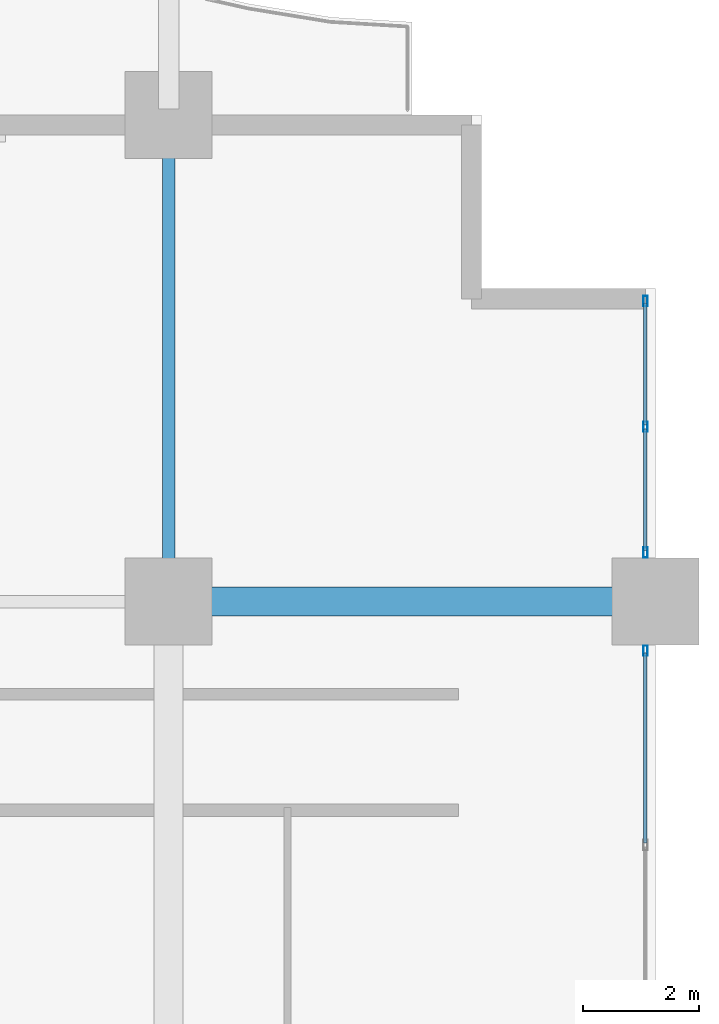
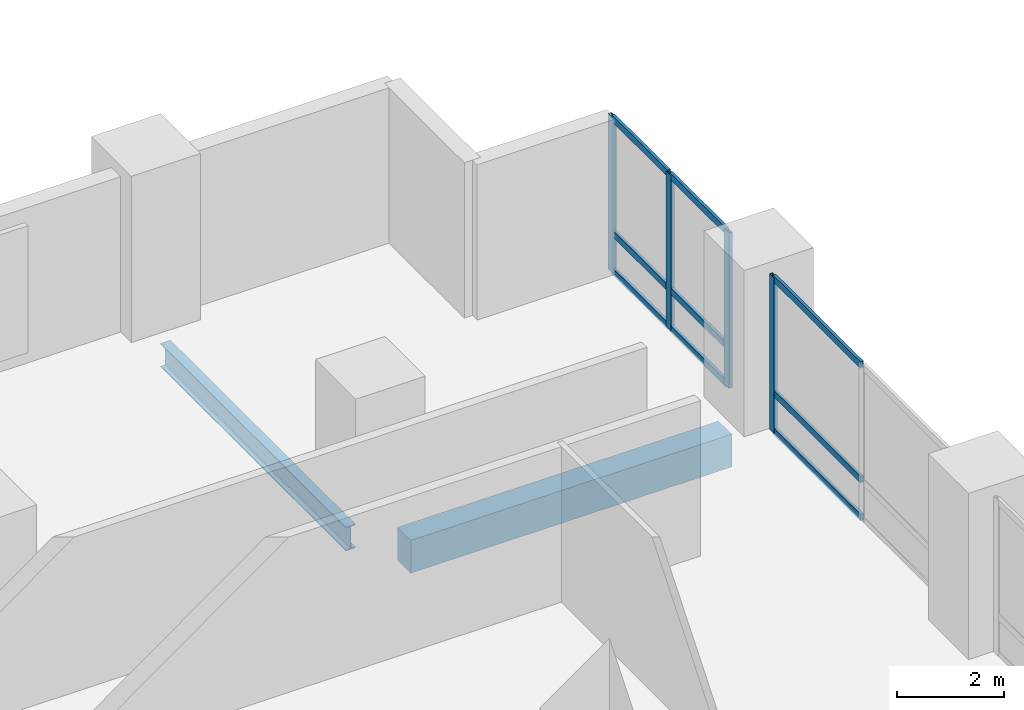
# One storey, part 7 of 27: 13 members, 2 beams, 2 elements without a shape of their own.
"""IFC4 building model written with IfcOpenShell, lengths in metres."""

import ifcopenshell
import ifcopenshell.guid

model = None  # the IFC model being written
_history = None  # IfcOwnerHistory: only IFC2X3 demands one
_inside = {}  # id of a spatial element -> (the spatial element, [elements in it])
_under = {}  # id of a project, library or spatial element -> (it, [spatial elements below it])
_declared = {}  # id of a project -> (the project, [libraries it declares])
_typed = {}  # id of a type object -> (the type object, [elements of that type])
_made_of = {}  # id of a material, layer set ... -> (it, [elements and type objects made of it])


def new_model(schema):
    """Start an empty IFC model of exactly this schema.

    Asked for "IFC4X3", IfcOpenShell would pick the latest addendum, in which some entities
    have other attributes; the version numbers below select the first issue.
    IFC2X3 requires an IfcOwnerHistory on every rooted entity: one is made here for all.
    """
    global model, _history
    if schema == "IFC4X3":
        model = ifcopenshell.file(schema_version=(4, 3, 0, 0))
    else:
        model = ifcopenshell.file(schema=schema)
    _inside.clear()
    _under.clear()
    _declared.clear()
    _typed.clear()
    _made_of.clear()
    _history = None
    if model.schema == "IFC2X3":
        org = make("IfcOrganization", Name="unknown")
        user = make(
            "IfcPersonAndOrganization",
            ThePerson=make("IfcPerson", FamilyName="unknown"),
            TheOrganization=org,
        )
        app = make(
            "IfcApplication",
            ApplicationDeveloper=org,
            Version="unknown",
            ApplicationFullName="unknown",
            ApplicationIdentifier="unknown",
        )
        _history = make(
            "IfcOwnerHistory",
            OwningUser=user,
            OwningApplication=app,
            ChangeAction="ADDED",
            CreationDate=0,
        )
    return model


def make(cls, **values):
    """One entity of the class cls with the attributes given. An attribute that is None is left unset."""
    return model.create_entity(
        cls, **{name: value for name, value in values.items() if value is not None}
    )


def rooted(cls, **values):
    """An entity with a GlobalId (a new one), such as an element, a storey or a relation."""
    return make(cls, GlobalId=ifcopenshell.guid.new(), OwnerHistory=_history, **values)


def si_unit(unit_type, name, prefix=None):
    """IfcSIUnit, for example si_unit("LENGTHUNIT", "METRE", prefix="MILLI")."""
    return make("IfcSIUnit", UnitType=unit_type, Prefix=prefix, Name=name)


def assignment(units):
    """IfcUnitAssignment: the units of a project."""
    return None if units is None else make("IfcUnitAssignment", Units=units)


def point(xyz):
    """IfcCartesianPoint."""
    return None if xyz is None else make("IfcCartesianPoint", Coordinates=xyz)


def direction(xyz):
    """IfcDirection."""
    return None if xyz is None else make("IfcDirection", DirectionRatios=xyz)


def frame(location, z_axis=None, x_axis=None):
    """IfcAxis2Placement3D, a coordinate frame: its origin and axes. An axis left out is left unset."""
    return make(
        "IfcAxis2Placement3D",
        Location=point(location),
        Axis=direction(z_axis),
        RefDirection=direction(x_axis),
    )


def frame_2d(location, x_axis=None):
    """IfcAxis2Placement2D, a coordinate frame in the plane: its origin and x axis."""
    return make(
        "IfcAxis2Placement2D", Location=point(location), RefDirection=direction(x_axis)
    )


def origin():
    """The frame at (0, 0, 0) with its axes left unset."""
    return frame((0.0, 0.0, 0.0))


def origin_2d():
    """The frame at (0, 0) in the plane with its x axis left unset."""
    return frame_2d((0.0, 0.0))


def place(relative_to, where):
    """IfcLocalPlacement: puts the frame where relative to a parent placement (None: the world)."""
    return make(
        "IfcLocalPlacement", PlacementRelTo=relative_to, RelativePlacement=where
    )


def context(
    kind, dimensions, precision=None, world=None, true_north=None, identifier=None
):
    """IfcGeometricRepresentationContext, for example the 3D "Model" context."""
    return make(
        "IfcGeometricRepresentationContext",
        ContextIdentifier=identifier,
        ContextType=kind,
        CoordinateSpaceDimension=dimensions,
        Precision=precision,
        WorldCoordinateSystem=world,
        TrueNorth=true_north,
    )


def subcontext(parent, identifier, kind, view, scale=None):
    """IfcGeometricRepresentationSubContext, for example "Body" below "Model"."""
    return make(
        "IfcGeometricRepresentationSubContext",
        ContextIdentifier=identifier,
        ContextType=kind,
        ParentContext=parent,
        TargetScale=scale,
        TargetView=view,
    )


def project(units=None, contexts=None):
    """IfcProject with its units and contexts."""
    return rooted(
        "IfcProject",
        Name="project",
        RepresentationContexts=contexts,
        UnitsInContext=assignment(units),
    )


def spatial(cls, under=None, at=None, **own):
    """A site, building, storey or space (cls), placed at a placement, below another one or the project."""
    s = rooted(cls, ObjectPlacement=at, **own)
    if under is not None:
        _under.setdefault(under.id(), (under, []))[1].append(s)
    return s


def profile(cls, at=None, kind="AREA", **sizes):
    """A parametric profile (cls). Its sizes go by their IFC names, for example OverallWidth=200.0."""
    return make(cls, ProfileType=kind, Position=at, **sizes)


def rectangle(**sizes):
    """IfcRectangleProfileDef."""
    return profile("IfcRectangleProfileDef", **sizes)


def hollow_rectangle(**sizes):
    """IfcRectangleHollowProfileDef."""
    return profile("IfcRectangleHollowProfileDef", **sizes)


def i_section(**sizes):
    """IfcIShapeProfileDef."""
    return profile("IfcIShapeProfileDef", **sizes)


def extrude(swept, where, along, depth):
    """IfcExtrudedAreaSolid: the profile swept, set in the frame where, extruded along a direction by depth."""
    return make(
        "IfcExtrudedAreaSolid",
        SweptArea=swept,
        Position=where,
        ExtrudedDirection=direction(along),
        Depth=depth,
    )


def shape(context_of_items, identifier, shape_type, items):
    """IfcShapeRepresentation: the items that make up one representation, for example the "Body"."""
    return make(
        "IfcShapeRepresentation",
        ContextOfItems=context_of_items,
        RepresentationIdentifier=identifier,
        RepresentationType=shape_type,
        Items=items,
    )


def material(Name=None, Category=None):
    """IfcMaterial."""
    return make("IfcMaterial", Name=Name, Category=Category)


def layer(
    of_material, thickness, ventilated=None, Name=None, Category=None, Priority=None
):
    """IfcMaterialLayer: one layer of a wall or slab, of a material (None: an air gap)."""
    return make(
        "IfcMaterialLayer",
        Material=of_material,
        LayerThickness=thickness,
        IsVentilated=ventilated,
        Name=Name,
        Category=Category,
        Priority=Priority,
    )


def layer_set(layers, Name=None):
    """IfcMaterialLayerSet."""
    return make("IfcMaterialLayerSet", MaterialLayers=layers, LayerSetName=Name)


def material_profile(
    of_material, cross_section, Name=None, Category=None, Priority=None
):
    """IfcMaterialProfile: a cross section and its material."""
    return make(
        "IfcMaterialProfile",
        Name=Name,
        Material=of_material,
        Profile=cross_section,
        Priority=Priority,
        Category=Category,
    )


def profile_set(profiles, Name=None, composite=None):
    """IfcMaterialProfileSet."""
    return make(
        "IfcMaterialProfileSet",
        Name=Name,
        MaterialProfiles=profiles,
        CompositeProfile=composite,
    )


def made_of(thing, what):
    """Note that an element or type object is made of a material, layer set ...; save() writes the relation."""
    if what is not None:
        _made_of.setdefault(what.id(), (what, []))[1].append(thing)
    return thing


def type_object(cls, material=None, **own):
    """A type object (cls), such as IfcWallType, which elements share."""
    return made_of(rooted(cls, **own), material)


def element(
    cls,
    number,
    at=None,
    inside=None,
    cuts=None,
    type_object=None,
    material=None,
    context=None,
    identifier="Body",
    shape_type=None,
    held_by="IfcProductDefinitionShape",
    body=None,
    shapes=None,
    **own,
):
    """One element of the class cls, such as IfcWall. Its Tag is "e" and its number.

    at: its placement. inside: the storey or other place that contains it. cuts: it is an
    opening in that element (IfcRelVoidsElement). A single representation is given by context,
    identifier, shape_type and body (its items); several are given by shapes. held_by: the class
    of the entity that holds the representations. save() writes the other relations.
    """
    e = rooted(cls, Tag="e%d" % number, ObjectPlacement=at, **own)
    if body is not None:
        shapes = [shape(context, identifier, shape_type, body)]
    if shapes is not None:
        e.Representation = make(held_by, Representations=shapes)
    if inside is not None:
        _inside.setdefault(inside.id(), (inside, []))[1].append(e)
    if cuts is not None:
        rooted(
            "IfcRelVoidsElement", RelatingBuildingElement=cuts, RelatedOpeningElement=e
        )
    if type_object is not None:
        _typed.setdefault(type_object.id(), (type_object, []))[1].append(e)
    return made_of(e, material)


def aggregate(whole, parts):
    """IfcRelAggregates: a whole, such as a stair, and the parts it consists of."""
    return rooted("IfcRelAggregates", RelatingObject=whole, RelatedObjects=parts)


def save(model, path):
    """Write the relations noted so far, then the file.

    IfcRelAggregates (storeys below a building ...), IfcRelContainedInSpatialStructure (elements
    in a storey), IfcRelDefinesByType, IfcRelAssociatesMaterial and IfcRelDeclares: one each for
    every whole, place, type object, material and project.
    """
    for whole, parts in _under.values():
        aggregate(whole, parts)
    for where, things in _inside.values():
        rooted(
            "IfcRelContainedInSpatialStructure",
            RelatedElements=things,
            RelatingStructure=where,
        )
    for kind, things in _typed.values():
        rooted("IfcRelDefinesByType", RelatedObjects=things, RelatingType=kind)
    for what, things in _made_of.values():
        rooted("IfcRelAssociatesMaterial", RelatedObjects=things, RelatingMaterial=what)
    for by, libraries in _declared.values():
        rooted("IfcRelDeclares", RelatingContext=by, RelatedDefinitions=libraries)
    model.write(path)


model = new_model("IFC4")

# Units and contexts
model_context = context("Model", 3, precision=1e-05, world=origin(), true_north=direction((0.0, 1.0)))
body_context = subcontext(model_context, "Body", "Model", "MODEL_VIEW")
ifc_project = project(units=[si_unit("LENGTHUNIT", "METRE"), si_unit("AREAUNIT", "SQUARE_METRE"), si_unit("VOLUMEUNIT", "CUBIC_METRE"), si_unit("PLANEANGLEUNIT", "RADIAN"), si_unit("MASSUNIT", "GRAM", prefix="KILO")], contexts=[model_context])

# Site, building, storey
site_placement = place(None, origin())
site = spatial("IfcSite", under=ifc_project, at=site_placement, CompositionType="ELEMENT")
building_placement = place(site_placement, origin())
building = spatial("IfcBuilding", under=site, at=building_placement, Name="Koriwani Terraces Tower", CompositionType="ELEMENT")
storey_placement = place(building_placement, frame((0.0, 0.0, 54.800048828125)))
storey = spatial("IfcBuildingStorey", under=building, at=storey_placement, Name="L12", CompositionType="ELEMENT", Elevation=54.800048828125)

# Beam
ifc_material_1 = material(Name="Concrete C50/60", Category="concrete")
ifc_material_profile_1 = material_profile(ifc_material_1, rectangle(XDim=0.5, YDim=0.75, at=origin_2d()), Name="Concrete C50/60", Category="LoadBearing")
ifc_profile_set_1 = profile_set([ifc_material_profile_1], Name="Concrete C50/60")
beam_type_1 = type_object("IfcBeamType", Name="BEAM_RC_GRID_500X750", PredefinedType="BEAM", material=ifc_profile_set_1)
beam_1_placement = place(storey_placement, frame((84.72998046875, 25.199951171875, -0.625), z_axis=(1.0, 0.0, 0.0), x_axis=(0.0, 1.0, 0.0)))
element("IfcBeam", 1, at=beam_1_placement, inside=storey, type_object=beam_type_1, Name="L12 Grid Beam D (84.0-92.4m)", PredefinedType="BEAM", context=body_context, shape_type="SweptSolid", body=[
    extrude(rectangle(XDim=0.5, YDim=0.75, at=origin_2d()), origin(), (0.0, 0.0, 1.0), 6.93994140625),
])

# Curtain wall, members
ifc_material_2 = material(Name="Anodised Bronze Aluminium", Category="aluminium")
ifc_layer = layer(ifc_material_2, 0.179931640625, Name="Anodised Bronze Aluminium")
ifc_layer_set = layer_set([ifc_layer], Name="Anodised Bronze Aluminium")
curtain_wall_type = type_object("IfcCurtainWallType", Name="CW_HOTEL_ZONE1", PredefinedType="NOTDEFINED", material=ifc_layer_set)
curtain_wall_1_placement = place(storey_placement, origin())
curtain_wall_1 = element("IfcCurtainWall", 2, at=curtain_wall_1_placement, inside=storey, type_object=curtain_wall_type, Name="L12 Unitised Curtain Wall (E_TIP) Bay 1", PredefinedType="NOTDEFINED")
ifc_material_profile_2 = material_profile(ifc_material_2, hollow_rectangle(XDim=0.074951171875, YDim=0.179931640625, WallThickness=0.006103515625, at=origin_2d()), Name="Anodised Bronze Aluminium", Category="LoadBearing")
ifc_profile_set_2 = profile_set([ifc_material_profile_2], Name="Anodised Bronze Aluminium")
member_type_1 = type_object("IfcMemberType", Name="CW_MULLION_180X75", PredefinedType="MULLION", material=ifc_profile_set_2)
member_1_placement = place(storey_placement, frame((92.22509765625, 30.387451171875, 0.0), z_axis=(0.0, 0.0, 1.0), x_axis=(1.0, 0.0, 0.0)))
member_1 = element("IfcMember", 3, at=member_1_placement, type_object=member_type_1, Name="CW-Z1 mullion 1", PredefinedType="MULLION", context=body_context, shape_type="SweptSolid", body=[
    extrude(hollow_rectangle(XDim=0.074951171875, YDim=0.179931640625, WallThickness=0.006103515625, at=origin_2d()), origin(), (0.0, 0.0, 1.0), 3.550048828125),
])
member_2_placement = place(storey_placement, frame((92.22509765625, 28.217529296875, 0.0), z_axis=(0.0, 0.0, 1.0), x_axis=(1.0, 0.0, 0.0)))
member_2 = element("IfcMember", 4, at=member_2_placement, type_object=member_type_1, Name="CW-Z1 mullion 2", PredefinedType="MULLION", context=body_context, shape_type="SweptSolid", body=[
    extrude(hollow_rectangle(XDim=0.074951171875, YDim=0.179931640625, WallThickness=0.006103515625, at=origin_2d()), origin(), (0.0, 0.0, 1.0), 3.550048828125),
])
member_3_placement = place(storey_placement, frame((92.22509765625, 26.047607421875, 0.0), z_axis=(0.0, 0.0, 1.0), x_axis=(1.0, 0.0, 0.0)))
member_3 = element("IfcMember", 5, at=member_3_placement, type_object=member_type_1, Name="CW-Z1 mullion 3", PredefinedType="MULLION", context=body_context, shape_type="SweptSolid", body=[
    extrude(hollow_rectangle(XDim=0.074951171875, YDim=0.179931640625, WallThickness=0.006103515625, at=origin_2d()), origin(), (0.0, 0.0, 1.0), 3.550048828125),
])

# Curtain wall, member
curtain_wall_2_placement = place(storey_placement, origin())
curtain_wall_2 = element("IfcCurtainWall", 6, at=curtain_wall_2_placement, inside=storey, type_object=curtain_wall_type, Name="L12 Unitised Curtain Wall (E_TIP) Bay 2", PredefinedType="NOTDEFINED")
member_4_placement = place(storey_placement, frame((92.22509765625, 24.3525390625, 0.0), z_axis=(0.0, 0.0, 1.0), x_axis=(1.0, 0.0, 0.0)))
member_4 = element("IfcMember", 7, at=member_4_placement, type_object=member_type_1, Name="CW-Z1 mullion 1", PredefinedType="MULLION", context=body_context, shape_type="SweptSolid", body=[
    extrude(hollow_rectangle(XDim=0.074951171875, YDim=0.179931640625, WallThickness=0.006103515625, at=origin_2d()), origin(), (0.0, 0.0, 1.0), 3.550048828125),
])

# Member
ifc_material_profile_3 = material_profile(ifc_material_2, hollow_rectangle(XDim=0.06494140625, YDim=0.14990234375, WallThickness=0.0048828125, at=origin_2d()), Name="Anodised Bronze Aluminium", Category="LoadBearing")
ifc_profile_set_3 = profile_set([ifc_material_profile_3], Name="Anodised Bronze Aluminium")
member_type_2 = type_object("IfcMemberType", Name="CW_TRANSOM_150X65", PredefinedType="USERDEFINED", material=ifc_profile_set_3)
member_5_placement = place(storey_placement, frame((92.22509765625, 30.35009765625, 0.032470703125), z_axis=(0.0, -1.0, 0.0), x_axis=(1.0, 0.0, 0.0)))
member_5 = element("IfcMember", 8, at=member_5_placement, type_object=member_type_2, Name="CW-Z1 transom 1.1", ObjectType="TRANSOM", PredefinedType="USERDEFINED", context=body_context, shape_type="SweptSolid", body=[
    extrude(hollow_rectangle(XDim=0.06494140625, YDim=0.14990234375, WallThickness=0.0048828125, at=origin_2d()), origin(), (0.0, 0.0, 1.0), 2.09521484375),
])

member_6_placement = place(storey_placement, frame((92.22509765625, 30.35009765625, 0.89990234375), z_axis=(0.0, -1.0, 0.0), x_axis=(1.0, 0.0, 0.0)))
member_6 = element("IfcMember", 9, at=member_6_placement, type_object=member_type_2, Name="CW-Z1 transom 1.2", ObjectType="TRANSOM", PredefinedType="USERDEFINED", context=body_context, shape_type="SweptSolid", body=[
    extrude(hollow_rectangle(XDim=0.06494140625, YDim=0.14990234375, WallThickness=0.0048828125, at=origin_2d()), origin(), (0.0, 0.0, 1.0), 2.09521484375),
])

member_7_placement = place(storey_placement, frame((92.22509765625, 30.35009765625, 3.517333984375), z_axis=(0.0, -1.0, 0.0), x_axis=(1.0, 0.0, 0.0)))
member_7 = element("IfcMember", 10, at=member_7_placement, type_object=member_type_2, Name="CW-Z1 transom 1.3", ObjectType="TRANSOM", PredefinedType="USERDEFINED", context=body_context, shape_type="SweptSolid", body=[
    extrude(hollow_rectangle(XDim=0.06494140625, YDim=0.14990234375, WallThickness=0.0048828125, at=origin_2d()), origin(), (0.0, 0.0, 1.0), 2.09521484375),
])

member_8_placement = place(storey_placement, frame((92.22509765625, 28.179931640625, 0.032470703125), z_axis=(0.0, -1.0, 0.0), x_axis=(1.0, 0.0, 0.0)))
member_8 = element("IfcMember", 11, at=member_8_placement, type_object=member_type_2, Name="CW-Z1 transom 2.1", ObjectType="TRANSOM", PredefinedType="USERDEFINED", context=body_context, shape_type="SweptSolid", body=[
    extrude(hollow_rectangle(XDim=0.06494140625, YDim=0.14990234375, WallThickness=0.0048828125, at=origin_2d()), origin(), (0.0, 0.0, 1.0), 2.094970703125),
])

member_9_placement = place(storey_placement, frame((92.22509765625, 28.179931640625, 0.89990234375), z_axis=(0.0, -1.0, 0.0), x_axis=(1.0, 0.0, 0.0)))
member_9 = element("IfcMember", 12, at=member_9_placement, type_object=member_type_2, Name="CW-Z1 transom 2.2", ObjectType="TRANSOM", PredefinedType="USERDEFINED", context=body_context, shape_type="SweptSolid", body=[
    extrude(hollow_rectangle(XDim=0.06494140625, YDim=0.14990234375, WallThickness=0.0048828125, at=origin_2d()), origin(), (0.0, 0.0, 1.0), 2.094970703125),
])

member_10_placement = place(storey_placement, frame((92.22509765625, 28.179931640625, 3.517333984375), z_axis=(0.0, -1.0, 0.0), x_axis=(1.0, 0.0, 0.0)))
member_10 = element("IfcMember", 13, at=member_10_placement, type_object=member_type_2, Name="CW-Z1 transom 2.3", ObjectType="TRANSOM", PredefinedType="USERDEFINED", context=body_context, shape_type="SweptSolid", body=[
    extrude(hollow_rectangle(XDim=0.06494140625, YDim=0.14990234375, WallThickness=0.0048828125, at=origin_2d()), origin(), (0.0, 0.0, 1.0), 2.094970703125),
])

aggregate(curtain_wall_1, [member_1, member_2, member_3, member_5, member_6, member_7, member_8, member_9, member_10])

member_11_placement = place(storey_placement, frame((92.22509765625, 24.31494140625, 0.032470703125), z_axis=(0.0, -1.0, 0.0), x_axis=(1.0, 0.0, 0.0)))
member_11 = element("IfcMember", 14, at=member_11_placement, type_object=member_type_2, Name="CW-Z1 transom 1.1", ObjectType="TRANSOM", PredefinedType="USERDEFINED", context=body_context, shape_type="SweptSolid", body=[
    extrude(hollow_rectangle(XDim=0.06494140625, YDim=0.14990234375, WallThickness=0.0048828125, at=origin_2d()), origin(), (0.0, 0.0, 1.0), 3.27734375),
])

member_12_placement = place(storey_placement, frame((92.22509765625, 24.31494140625, 0.89990234375), z_axis=(0.0, -1.0, 0.0), x_axis=(1.0, 0.0, 0.0)))
member_12 = element("IfcMember", 15, at=member_12_placement, type_object=member_type_2, Name="CW-Z1 transom 1.2", ObjectType="TRANSOM", PredefinedType="USERDEFINED", context=body_context, shape_type="SweptSolid", body=[
    extrude(hollow_rectangle(XDim=0.06494140625, YDim=0.14990234375, WallThickness=0.0048828125, at=origin_2d()), origin(), (0.0, 0.0, 1.0), 3.27734375),
])

member_13_placement = place(storey_placement, frame((92.22509765625, 24.31494140625, 3.517333984375), z_axis=(0.0, -1.0, 0.0), x_axis=(1.0, 0.0, 0.0)))
member_13 = element("IfcMember", 16, at=member_13_placement, type_object=member_type_2, Name="CW-Z1 transom 1.3", ObjectType="TRANSOM", PredefinedType="USERDEFINED", context=body_context, shape_type="SweptSolid", body=[
    extrude(hollow_rectangle(XDim=0.06494140625, YDim=0.14990234375, WallThickness=0.0048828125, at=origin_2d()), origin(), (0.0, 0.0, 1.0), 3.27734375),
])

aggregate(curtain_wall_2, [member_4, member_11, member_12, member_13])

# Beam
ifc_material_3 = material(Name="Steel ASTM A572 Grade 50", Category="steel")
ifc_material_profile_4 = material_profile(ifc_material_3, i_section(OverallWidth=0.2119140625, OverallDepth=0.54296875, WebThickness=0.0126953125, FlangeThickness=0.021240234375, at=origin_2d()), Name="Steel ASTM A572 Grade 50", Category="LoadBearing")
ifc_profile_set_4 = profile_set([ifc_material_profile_4], Name="Steel ASTM A572 Grade 50")
beam_type_2 = type_object("IfcBeamType", Name="STEEL_BEAM_W530X150", PredefinedType="BEAM", material=ifc_profile_set_4)
beam_2_placement = place(storey_placement, frame((84.0, 25.929931640625, -0.521484375), z_axis=(0.0, 1.0, 0.0), x_axis=(-1.0, 0.0, 0.0)))
element("IfcBeam", 17, at=beam_2_placement, inside=storey, type_object=beam_type_2, Name="L12 Grid Beam 11 (25.2-33.6m)", PredefinedType="BEAM", context=body_context, shape_type="SweptSolid", body=[
    extrude(i_section(OverallWidth=0.2119140625, OverallDepth=0.54296875, WebThickness=0.0126953125, FlangeThickness=0.021240234375, at=origin_2d()), origin(), (0.0, 0.0, 1.0), 6.940185546875),
])

save(model, "model.ifc")
